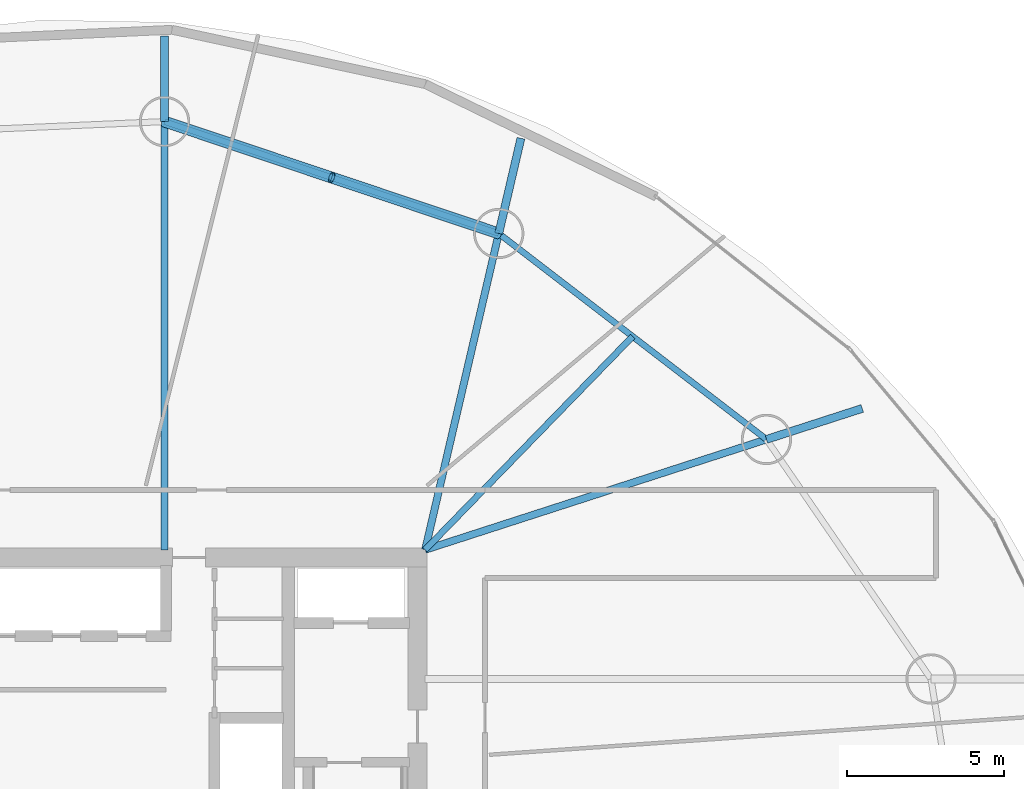
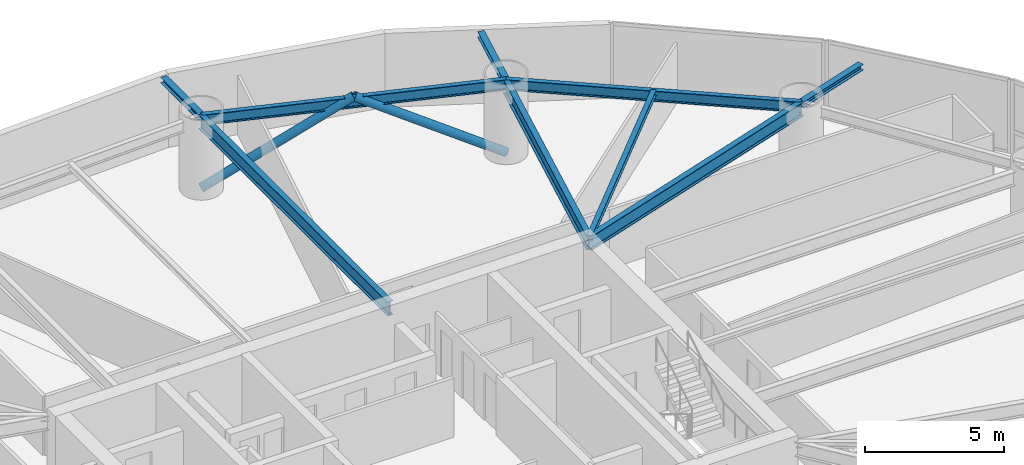
# One storey, part 18 of 25: 9 beams, 2 members.
"""IFC4 building model written with IfcOpenShell, lengths in metres."""

from ifc_helpers import new_model, si_unit, direction, frame, origin, origin_2d, place, context, subcontext, project, spatial, hollow_circle, i_section, extrude, material, material_profile, profile_set, type_object, element, save


model = new_model("IFC4")

# Units and contexts
model_context = context("Model", 3, precision=1e-05, world=origin(), true_north=direction((0.0, 1.0)))
body_context = subcontext(model_context, "Body", "Model", "MODEL_VIEW")
ifc_project = project(units=[si_unit("LENGTHUNIT", "METRE"), si_unit("AREAUNIT", "SQUARE_METRE"), si_unit("VOLUMEUNIT", "CUBIC_METRE"), si_unit("PLANEANGLEUNIT", "RADIAN"), si_unit("MASSUNIT", "GRAM", prefix="KILO")], contexts=[model_context])

# Site, building, storey
site_placement = place(None, origin())
site = spatial("IfcSite", under=ifc_project, at=site_placement, CompositionType="ELEMENT")
building_placement = place(site_placement, origin())
building = spatial("IfcBuilding", under=site, at=building_placement, Name="Bramvorn Convention Spire", CompositionType="ELEMENT")
storey_placement = place(building_placement, frame((0.0, 0.0, 55.39990234375)))
storey = spatial("IfcBuildingStorey", under=building, at=storey_placement, Name="L11", CompositionType="ELEMENT", Elevation=55.39990234375)

# Beams
ifc_material = material(Name="Steel CSA G40.21 Grade 350 (350W)", Category="steel")
ifc_material_profile_1 = material_profile(ifc_material, i_section(OverallWidth=0.201904296875, OverallDepth=0.2470703125, WebThickness=0.00732421875, FlangeThickness=0.010986328125, FilletRadius=0.011962890625, at=origin_2d()))
ifc_profile_set_1 = profile_set([ifc_material_profile_1], Name="Steel CSA G40.21 Grade 350 (350W) - W250X49")
beam_type_1 = type_object("IfcBeamType", Name="BM-W250X49", PredefinedType="JOIST", material=ifc_profile_set_1)
beam_1_placement = place(storey_placement, frame((49.25, 33.449951171875, 3.126708984375), z_axis=(0.697170484005, 0.716905374671, 0.0), x_axis=(-0.716905374671, 0.697170484005, 0.0)))
element("IfcBeam", 1, at=beam_1_placement, inside=storey, type_object=beam_type_1, Name="L11 composite floor joist 03", PredefinedType="JOIST", context=body_context, shape_type="SweptSolid", body=[
    extrude(i_section(OverallWidth=0.201904296875, OverallDepth=0.2470703125, WebThickness=0.00732421875, FlangeThickness=0.010986328125, FilletRadius=0.011962890625, at=origin_2d()), origin(), (0.0, 0.0, 1.0), 9.4638671875),
])
ifc_material_profile_2 = material_profile(ifc_material, i_section(OverallWidth=0.25390625, OverallDepth=0.2529296875, WebThickness=0.008544921875, FlangeThickness=0.01416015625, FilletRadius=0.011962890625, at=origin_2d()))
ifc_profile_set_2 = profile_set([ifc_material_profile_2], Name="Steel CSA G40.21 Grade 350 (350W) - W250X73")
beam_type_2 = type_object("IfcBeamType", Name="BM-W250X73", PredefinedType="BEAM", material=ifc_profile_set_2)
beam_2_placement = place(storey_placement, frame((60.105224609375, 36.960205078125, 3.12353515625), z_axis=(0.951483286173, 0.307700432454, 0.0), x_axis=(-0.307700432454, 0.951483286173, 0.0)))
element("IfcBeam", 2, at=beam_2_placement, inside=storey, type_object=beam_type_2, Name="L11 slab-edge cantilever tip beam MC03", PredefinedType="BEAM", context=body_context, shape_type="SweptSolid", body=[
    extrude(i_section(OverallWidth=0.25390625, OverallDepth=0.2529296875, WebThickness=0.008544921875, FlangeThickness=0.01416015625, FilletRadius=0.011962890625, at=origin_2d()), origin(), (0.0, 0.0, 1.0), 3.199951171875),
])
beam_3_placement = place(storey_placement, frame((51.59033203125, 43.509033203125, 3.12353515625), z_axis=(0.226613972377, 0.973984654665, 0.0), x_axis=(-0.973984654665, 0.226613972377, 0.0)))
element("IfcBeam", 3, at=beam_3_placement, inside=storey, type_object=beam_type_2, Name="L11 slab-edge cantilever tip beam MC04", PredefinedType="BEAM", context=body_context, shape_type="SweptSolid", body=[
    extrude(i_section(OverallWidth=0.25390625, OverallDepth=0.2529296875, WebThickness=0.008544921875, FlangeThickness=0.01416015625, FilletRadius=0.011962890625, at=origin_2d()), origin(), (0.0, 0.0, 1.0), 3.109130859375),
])
beam_4_placement = place(storey_placement, frame((40.9609375, 47.06884765625, 3.12353515625), z_axis=(0.0, 1.0, 0.0), x_axis=(-1.0, 0.0, 0.0)))
element("IfcBeam", 4, at=beam_4_placement, inside=storey, type_object=beam_type_2, Name="L11 slab-edge cantilever tip beam MC05", PredefinedType="BEAM", context=body_context, shape_type="SweptSolid", body=[
    extrude(i_section(OverallWidth=0.25390625, OverallDepth=0.2529296875, WebThickness=0.008544921875, FlangeThickness=0.01416015625, FilletRadius=0.011962890625, at=origin_2d()), origin(), (0.0, 0.0, 1.0), 2.72314453125),
])
ifc_material_profile_3 = material_profile(ifc_material, i_section(OverallWidth=0.194091796875, OverallDepth=0.468994140625, WebThickness=0.0126953125, FlangeThickness=0.0205078125, FilletRadius=0.01806640625, at=origin_2d()))
ifc_profile_set_3 = profile_set([ifc_material_profile_3], Name="Steel CSA G40.21 Grade 350 (350W) - W460X106")
beam_type_3 = type_object("IfcBeamType", Name="BM-W460X106", PredefinedType="SPANDREL", material=ifc_profile_set_3)
beam_5_placement = place(storey_placement, frame((60.105224609375, 36.960205078125, 3.015625), z_axis=(-0.792672990445, 0.609647053809, 0.0), x_axis=(-0.609647053809, -0.792672990445, 0.0)))
element("IfcBeam", 5, at=beam_5_placement, inside=storey, type_object=beam_type_3, Name="L11 mega-column ring beam 03", PredefinedType="SPANDREL", context=body_context, shape_type="SweptSolid", body=[
    extrude(i_section(OverallWidth=0.194091796875, OverallDepth=0.468994140625, WebThickness=0.0126953125, FlangeThickness=0.0205078125, FilletRadius=0.01806640625, at=origin_2d()), origin(), (0.0, 0.0, 1.0), 10.741943359375),
])
beam_6_placement = place(storey_placement, frame((51.59033203125, 43.509033203125, 3.015625), z_axis=(-0.948235872727, 0.317566890078, 0.0), x_axis=(-0.317566890078, -0.948235872727, 0.0)))
element("IfcBeam", 6, at=beam_6_placement, inside=storey, type_object=beam_type_3, Name="L11 mega-column ring beam 04", PredefinedType="SPANDREL", context=body_context, shape_type="SweptSolid", body=[
    extrude(i_section(OverallWidth=0.194091796875, OverallDepth=0.468994140625, WebThickness=0.0126953125, FlangeThickness=0.0205078125, FilletRadius=0.01806640625, at=origin_2d()), origin(), (0.0, 0.0, 1.0), 11.209716796875),
])
ifc_material_profile_4 = material_profile(ifc_material, i_section(OverallWidth=0.22998046875, OverallDepth=0.616943359375, WebThickness=0.01318359375, FlangeThickness=0.022216796875, FilletRadius=0.02001953125, at=origin_2d()))
ifc_profile_set_4 = profile_set([ifc_material_profile_4], Name="Steel CSA G40.21 Grade 350 (350W) - W610X140")
beam_type_4 = type_object("IfcBeamType", Name="BM-W610X140", PredefinedType="BEAM", material=ifc_profile_set_4)
beam_7_placement = place(storey_placement, frame((49.25, 33.449951171875, 2.941650390625), z_axis=(0.951488933275, 0.307682969719, 0.0), x_axis=(-0.307682969719, 0.951488933275, 0.0)))
element("IfcBeam", 7, at=beam_7_placement, inside=storey, type_object=beam_type_4, Name="L11 radial floor girder MC03", PredefinedType="BEAM", context=body_context, shape_type="SweptSolid", body=[
    extrude(i_section(OverallWidth=0.22998046875, OverallDepth=0.616943359375, WebThickness=0.01318359375, FlangeThickness=0.022216796875, FilletRadius=0.02001953125, at=origin_2d()), origin(), (0.0, 0.0, 1.0), 11.40869140625),
])
beam_8_placement = place(storey_placement, frame((49.25, 33.449951171875, 2.941650390625), z_axis=(0.226606328522, 0.973986433106, 0.0), x_axis=(-0.973986433106, 0.226606328522, 0.0)))
element("IfcBeam", 8, at=beam_8_placement, inside=storey, type_object=beam_type_4, Name="L11 radial floor girder MC04", PredefinedType="BEAM", context=body_context, shape_type="SweptSolid", body=[
    extrude(i_section(OverallWidth=0.22998046875, OverallDepth=0.616943359375, WebThickness=0.01318359375, FlangeThickness=0.022216796875, FilletRadius=0.02001953125, at=origin_2d()), origin(), (0.0, 0.0, 1.0), 10.32763671875),
])
beam_9_placement = place(storey_placement, frame((40.9609375, 33.449951171875, 2.941650390625), z_axis=(0.0, 1.0, 0.0), x_axis=(-1.0, 0.0, 0.0)))
element("IfcBeam", 9, at=beam_9_placement, inside=storey, type_object=beam_type_4, Name="L11 radial floor girder MC05", PredefinedType="BEAM", context=body_context, shape_type="SweptSolid", body=[
    extrude(i_section(OverallWidth=0.22998046875, OverallDepth=0.616943359375, WebThickness=0.01318359375, FlangeThickness=0.022216796875, FilletRadius=0.02001953125, at=origin_2d()), origin(), (0.0, 0.0, 1.0), 13.618896484375),
])

# Members
ifc_material_profile_5 = material_profile(ifc_material, hollow_circle(Radius=0.177734375, WallThickness=0.015869140625, at=origin_2d()))
ifc_profile_set_5 = profile_set([ifc_material_profile_5], Name="Steel CSA G40.21 Grade 350 (350W) - CHS356X16")
member_type = type_object("IfcMemberType", Name="MBR-CHS356X16", PredefinedType="BRACE", material=ifc_profile_set_5)
for number, where, z_axis, x_axis, name in (
    (10, (51.59033203125, 43.509033203125, 0.0), (-0.820300118259, 0.274739683138, 0.501623187756), (-0.31758647294, -0.948229314146, 0.0), "L11 perimeter Gothic lancet brace 4A"),
    (11, (40.9609375, 47.06884765625, 0.0), (0.820308610169, -0.274704844877, 0.501628380659), (0.31754730681, 0.948242430994, 0.0), "L11 perimeter Gothic lancet brace 4B"),
):
    element("IfcMember", number, at=place(storey_placement, frame(where, z_axis=z_axis, x_axis=x_axis)), inside=storey, type_object=member_type, Name=name, PredefinedType="BRACE", context=body_context, shape_type="SweptSolid", body=[
        extrude(hollow_circle(Radius=0.177734375, WallThickness=0.015869140625, at=origin_2d()), origin(), (0.0, 0.0, 1.0), 6.47900390625),
    ])

save(model, "model.ifc")
